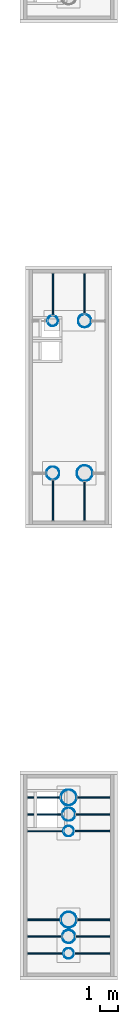
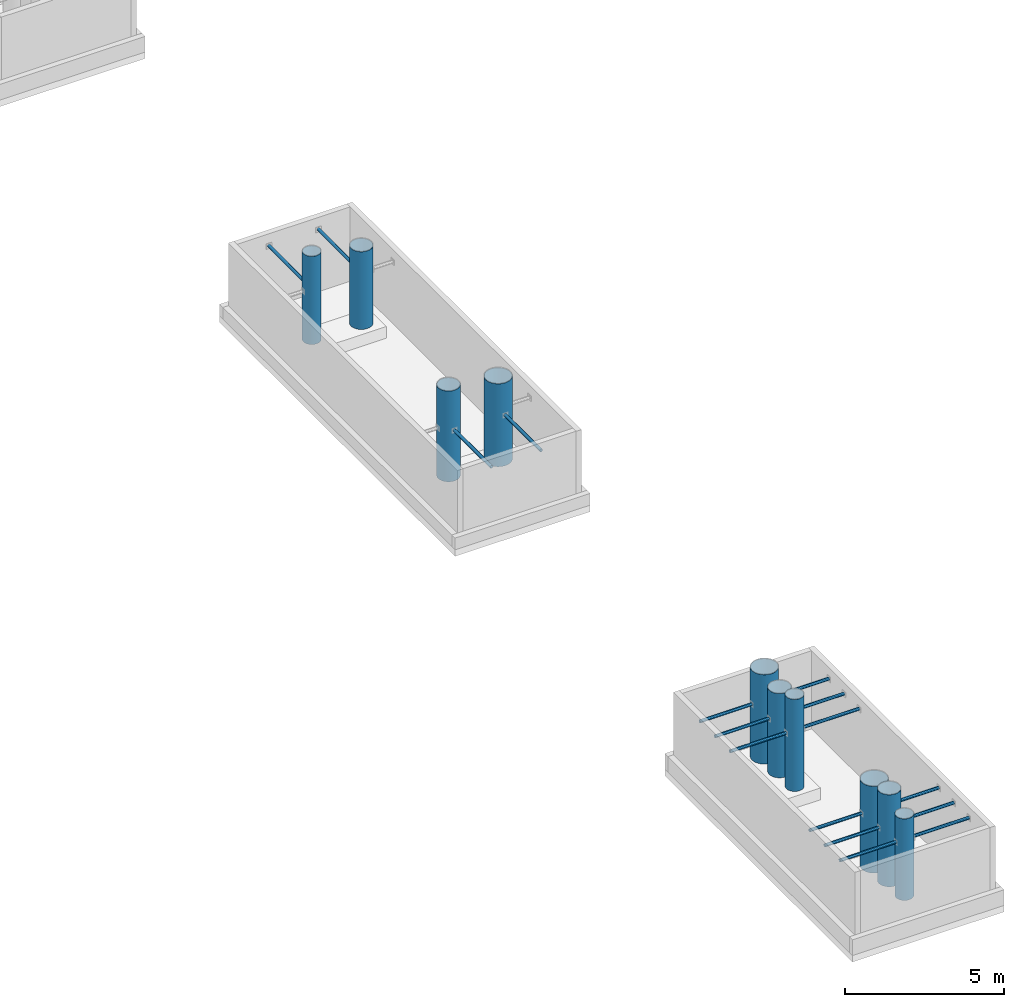
# One storey, part 1 of 7: 26 members.
"""IFC4 building model written with IfcOpenShell, lengths in metres."""

import ifcopenshell
import ifcopenshell.guid

model = None  # the IFC model being written
_history = None  # IfcOwnerHistory: only IFC2X3 demands one
_inside = {}  # id of a spatial element -> (the spatial element, [elements in it])
_under = {}  # id of a project, library or spatial element -> (it, [spatial elements below it])
_declared = {}  # id of a project -> (the project, [libraries it declares])
_typed = {}  # id of a type object -> (the type object, [elements of that type])
_made_of = {}  # id of a material, layer set ... -> (it, [elements and type objects made of it])


def new_model(schema):
    """Start an empty IFC model of exactly this schema.

    Asked for "IFC4X3", IfcOpenShell would pick the latest addendum, in which some entities
    have other attributes; the version numbers below select the first issue.
    IFC2X3 requires an IfcOwnerHistory on every rooted entity: one is made here for all.
    """
    global model, _history
    if schema == "IFC4X3":
        model = ifcopenshell.file(schema_version=(4, 3, 0, 0))
    else:
        model = ifcopenshell.file(schema=schema)
    _inside.clear()
    _under.clear()
    _declared.clear()
    _typed.clear()
    _made_of.clear()
    _history = None
    if model.schema == "IFC2X3":
        org = make("IfcOrganization", Name="unknown")
        user = make(
            "IfcPersonAndOrganization",
            ThePerson=make("IfcPerson", FamilyName="unknown"),
            TheOrganization=org,
        )
        app = make(
            "IfcApplication",
            ApplicationDeveloper=org,
            Version="unknown",
            ApplicationFullName="unknown",
            ApplicationIdentifier="unknown",
        )
        _history = make(
            "IfcOwnerHistory",
            OwningUser=user,
            OwningApplication=app,
            ChangeAction="ADDED",
            CreationDate=0,
        )
    return model


def make(cls, **values):
    """One entity of the class cls with the attributes given. An attribute that is None is left unset."""
    return model.create_entity(
        cls, **{name: value for name, value in values.items() if value is not None}
    )


def rooted(cls, **values):
    """An entity with a GlobalId (a new one), such as an element, a storey or a relation."""
    return make(cls, GlobalId=ifcopenshell.guid.new(), OwnerHistory=_history, **values)


def si_unit(unit_type, name, prefix=None):
    """IfcSIUnit, for example si_unit("LENGTHUNIT", "METRE", prefix="MILLI")."""
    return make("IfcSIUnit", UnitType=unit_type, Prefix=prefix, Name=name)


def assignment(units):
    """IfcUnitAssignment: the units of a project."""
    return None if units is None else make("IfcUnitAssignment", Units=units)


def point(xyz):
    """IfcCartesianPoint."""
    return None if xyz is None else make("IfcCartesianPoint", Coordinates=xyz)


def direction(xyz):
    """IfcDirection."""
    return None if xyz is None else make("IfcDirection", DirectionRatios=xyz)


def frame(location, z_axis=None, x_axis=None):
    """IfcAxis2Placement3D, a coordinate frame: its origin and axes. An axis left out is left unset."""
    return make(
        "IfcAxis2Placement3D",
        Location=point(location),
        Axis=direction(z_axis),
        RefDirection=direction(x_axis),
    )


def frame_2d(location, x_axis=None):
    """IfcAxis2Placement2D, a coordinate frame in the plane: its origin and x axis."""
    return make(
        "IfcAxis2Placement2D", Location=point(location), RefDirection=direction(x_axis)
    )


def origin():
    """The frame at (0, 0, 0) with its axes left unset."""
    return frame((0.0, 0.0, 0.0))


def origin_2d():
    """The frame at (0, 0) in the plane with its x axis left unset."""
    return frame_2d((0.0, 0.0))


def place(relative_to, where):
    """IfcLocalPlacement: puts the frame where relative to a parent placement (None: the world)."""
    return make(
        "IfcLocalPlacement", PlacementRelTo=relative_to, RelativePlacement=where
    )


def context(
    kind, dimensions, precision=None, world=None, true_north=None, identifier=None
):
    """IfcGeometricRepresentationContext, for example the 3D "Model" context."""
    return make(
        "IfcGeometricRepresentationContext",
        ContextIdentifier=identifier,
        ContextType=kind,
        CoordinateSpaceDimension=dimensions,
        Precision=precision,
        WorldCoordinateSystem=world,
        TrueNorth=true_north,
    )


def subcontext(parent, identifier, kind, view, scale=None):
    """IfcGeometricRepresentationSubContext, for example "Body" below "Model"."""
    return make(
        "IfcGeometricRepresentationSubContext",
        ContextIdentifier=identifier,
        ContextType=kind,
        ParentContext=parent,
        TargetScale=scale,
        TargetView=view,
    )


def project(units=None, contexts=None):
    """IfcProject with its units and contexts."""
    return rooted(
        "IfcProject",
        Name="project",
        RepresentationContexts=contexts,
        UnitsInContext=assignment(units),
    )


def spatial(cls, under=None, at=None, **own):
    """A site, building, storey or space (cls), placed at a placement, below another one or the project."""
    s = rooted(cls, ObjectPlacement=at, **own)
    if under is not None:
        _under.setdefault(under.id(), (under, []))[1].append(s)
    return s


def profile(cls, at=None, kind="AREA", **sizes):
    """A parametric profile (cls). Its sizes go by their IFC names, for example OverallWidth=200.0."""
    return make(cls, ProfileType=kind, Position=at, **sizes)


def hollow_circle(**sizes):
    """IfcCircleHollowProfileDef."""
    return profile("IfcCircleHollowProfileDef", **sizes)


def extrude(swept, where, along, depth):
    """IfcExtrudedAreaSolid: the profile swept, set in the frame where, extruded along a direction by depth."""
    return make(
        "IfcExtrudedAreaSolid",
        SweptArea=swept,
        Position=where,
        ExtrudedDirection=direction(along),
        Depth=depth,
    )


def shape(context_of_items, identifier, shape_type, items):
    """IfcShapeRepresentation: the items that make up one representation, for example the "Body"."""
    return make(
        "IfcShapeRepresentation",
        ContextOfItems=context_of_items,
        RepresentationIdentifier=identifier,
        RepresentationType=shape_type,
        Items=items,
    )


def material(Name=None, Category=None):
    """IfcMaterial."""
    return make("IfcMaterial", Name=Name, Category=Category)


def material_profile(
    of_material, cross_section, Name=None, Category=None, Priority=None
):
    """IfcMaterialProfile: a cross section and its material."""
    return make(
        "IfcMaterialProfile",
        Name=Name,
        Material=of_material,
        Profile=cross_section,
        Priority=Priority,
        Category=Category,
    )


def profile_set(profiles, Name=None, composite=None):
    """IfcMaterialProfileSet."""
    return make(
        "IfcMaterialProfileSet",
        Name=Name,
        MaterialProfiles=profiles,
        CompositeProfile=composite,
    )


def made_of(thing, what):
    """Note that an element or type object is made of a material, layer set ...; save() writes the relation."""
    if what is not None:
        _made_of.setdefault(what.id(), (what, []))[1].append(thing)
    return thing


def type_object(cls, material=None, **own):
    """A type object (cls), such as IfcWallType, which elements share."""
    return made_of(rooted(cls, **own), material)


def element(
    cls,
    number,
    at=None,
    inside=None,
    cuts=None,
    type_object=None,
    material=None,
    context=None,
    identifier="Body",
    shape_type=None,
    held_by="IfcProductDefinitionShape",
    body=None,
    shapes=None,
    **own,
):
    """One element of the class cls, such as IfcWall. Its Tag is "e" and its number.

    at: its placement. inside: the storey or other place that contains it. cuts: it is an
    opening in that element (IfcRelVoidsElement). A single representation is given by context,
    identifier, shape_type and body (its items); several are given by shapes. held_by: the class
    of the entity that holds the representations. save() writes the other relations.
    """
    e = rooted(cls, Tag="e%d" % number, ObjectPlacement=at, **own)
    if body is not None:
        shapes = [shape(context, identifier, shape_type, body)]
    if shapes is not None:
        e.Representation = make(held_by, Representations=shapes)
    if inside is not None:
        _inside.setdefault(inside.id(), (inside, []))[1].append(e)
    if cuts is not None:
        rooted(
            "IfcRelVoidsElement", RelatingBuildingElement=cuts, RelatedOpeningElement=e
        )
    if type_object is not None:
        _typed.setdefault(type_object.id(), (type_object, []))[1].append(e)
    return made_of(e, material)


def aggregate(whole, parts):
    """IfcRelAggregates: a whole, such as a stair, and the parts it consists of."""
    return rooted("IfcRelAggregates", RelatingObject=whole, RelatedObjects=parts)


def save(model, path):
    """Write the relations noted so far, then the file.

    IfcRelAggregates (storeys below a building ...), IfcRelContainedInSpatialStructure (elements
    in a storey), IfcRelDefinesByType, IfcRelAssociatesMaterial and IfcRelDeclares: one each for
    every whole, place, type object, material and project.
    """
    for whole, parts in _under.values():
        aggregate(whole, parts)
    for where, things in _inside.values():
        rooted(
            "IfcRelContainedInSpatialStructure",
            RelatedElements=things,
            RelatingStructure=where,
        )
    for kind, things in _typed.values():
        rooted("IfcRelDefinesByType", RelatedObjects=things, RelatingType=kind)
    for what, things in _made_of.values():
        rooted("IfcRelAssociatesMaterial", RelatedObjects=things, RelatingMaterial=what)
    for by, libraries in _declared.values():
        rooted("IfcRelDeclares", RelatingContext=by, RelatedDefinitions=libraries)
    model.write(path)


model = new_model("IFC4")

# Units and contexts
model_context = context("Model", 3, precision=1e-05, world=origin(), true_north=direction((0.0, 1.0)))
body_context = subcontext(model_context, "Body", "Model", "MODEL_VIEW")
ifc_project = project(units=[si_unit("LENGTHUNIT", "METRE"), si_unit("AREAUNIT", "SQUARE_METRE"), si_unit("VOLUMEUNIT", "CUBIC_METRE"), si_unit("PLANEANGLEUNIT", "RADIAN"), si_unit("MASSUNIT", "GRAM", prefix="KILO")], contexts=[model_context])

# Site, building, storey
site_placement = place(None, origin())
site = spatial("IfcSite", under=ifc_project, at=site_placement, CompositionType="ELEMENT")
building_placement = place(site_placement, origin())
building = spatial("IfcBuilding", under=site, at=building_placement, Name="Basin Gate Institute", CompositionType="ELEMENT")
storey_placement = place(building_placement, frame((0.0, 0.0, 78.60009765625)))
storey = spatial("IfcBuildingStorey", under=building, at=storey_placement, Name="UPPER ROOF", CompositionType="ELEMENT", Elevation=78.60009765625)

# Members
ifc_material_1 = material(Name="Structural steel SN490", Category="steel")
ifc_material_profile_1 = material_profile(ifc_material_1, hollow_circle(Radius=0.300048828125, WallThickness=0.011962890625, at=origin_2d()), Name="CHS600x12")
ifc_profile_set_1 = profile_set([ifc_material_profile_1], Name="Structural steel SN490")
member_type_1 = type_object("IfcMemberType", Name="Exhaust pipe EX1", PredefinedType="POST", material=ifc_profile_set_1)
member_1_placement = place(storey_placement, frame((63.449951171875, 36.10009765625, 0.699951171875), z_axis=(0.0, 0.0, 1.0), x_axis=(1.0, 0.0, 0.0)))
element("IfcMember", 1, at=member_1_placement, inside=storey, type_object=member_type_1, material=ifc_profile_set_1, Name="Exhaust pipe EX1 WS 1", PredefinedType="POST", context=body_context, shape_type="SweptSolid", body=[
    extrude(hollow_circle(Radius=0.300048828125, WallThickness=0.011962890625, at=origin_2d()), origin(), (0.0, 0.0, 1.0), 3.1298828125),
])
member_2_placement = place(storey_placement, frame((63.449951171875, 43.0, 0.699951171875), z_axis=(0.0, 0.0, 1.0), x_axis=(1.0, 0.0, 0.0)))
element("IfcMember", 2, at=member_2_placement, inside=storey, type_object=member_type_1, material=ifc_profile_set_1, Name="Exhaust pipe EX1 WS 4", PredefinedType="POST", context=body_context, shape_type="SweptSolid", body=[
    extrude(hollow_circle(Radius=0.300048828125, WallThickness=0.011962890625, at=origin_2d()), origin(), (0.0, 0.0, 1.0), 3.530029296875),
])
member_3_placement = place(storey_placement, frame((62.550048828125, 71.800048828125, 0.699951171875), z_axis=(0.0, 0.0, 1.0), x_axis=(1.0, 0.0, 0.0)))
element("IfcMember", 3, at=member_3_placement, inside=storey, type_object=member_type_1, material=ifc_profile_set_1, Name="Exhaust pipe EX1 WM 3", PredefinedType="POST", context=body_context, shape_type="SweptSolid", body=[
    extrude(hollow_circle(Radius=0.300048828125, WallThickness=0.011962890625, at=origin_2d()), origin(), (0.0, 0.0, 1.0), 3.3798828125),
])
ifc_material_2 = material(Name="Structural steel SN490", Category="steel")
ifc_material_profile_2 = material_profile(ifc_material_2, hollow_circle(Radius=0.375, WallThickness=0.013916015625, at=origin_2d()), Name="CHS750x14")
ifc_profile_set_2 = profile_set([ifc_material_profile_2], Name="Structural steel SN490")
member_type_2 = type_object("IfcMemberType", Name="Exhaust pipe EX2", PredefinedType="POST", material=ifc_profile_set_2)
member_4_placement = place(storey_placement, frame((63.449951171875, 37.050048828125, 0.699951171875), z_axis=(0.0, 0.0, 1.0), x_axis=(1.0, 0.0, 0.0)))
element("IfcMember", 4, at=member_4_placement, inside=storey, type_object=member_type_2, material=ifc_profile_set_2, Name="Exhaust pipe EX2 WS 2", PredefinedType="POST", context=body_context, shape_type="SweptSolid", body=[
    extrude(hollow_circle(Radius=0.375, WallThickness=0.013916015625, at=origin_2d()), origin(), (0.0, 0.0, 1.0), 3.530029296875),
])
member_5_placement = place(storey_placement, frame((63.449951171875, 43.949951171875, 0.699951171875), z_axis=(0.0, 0.0, 1.0), x_axis=(1.0, 0.0, 0.0)))
element("IfcMember", 5, at=member_5_placement, inside=storey, type_object=member_type_2, material=ifc_profile_set_2, Name="Exhaust pipe EX2 WS 5", PredefinedType="POST", context=body_context, shape_type="SweptSolid", body=[
    extrude(hollow_circle(Radius=0.375, WallThickness=0.013916015625, at=origin_2d()), origin(), (0.0, 0.0, 1.0), 3.22998046875),
])
member_6_placement = place(storey_placement, frame((62.550048828125, 63.199951171875, 0.699951171875), z_axis=(0.0, 0.0, 1.0), x_axis=(1.0, 0.0, 0.0)))
element("IfcMember", 6, at=member_6_placement, inside=storey, type_object=member_type_2, material=ifc_profile_set_2, Name="Exhaust pipe EX2 WM 1", PredefinedType="POST", context=body_context, shape_type="SweptSolid", body=[
    extrude(hollow_circle(Radius=0.375, WallThickness=0.013916015625, at=origin_2d()), origin(), (0.0, 0.0, 1.0), 3.47998046875),
])
member_7_placement = place(storey_placement, frame((64.35009765625, 71.800048828125, 0.699951171875), z_axis=(0.0, 0.0, 1.0), x_axis=(1.0, 0.0, 0.0)))
element("IfcMember", 7, at=member_7_placement, inside=storey, type_object=member_type_2, material=ifc_profile_set_2, Name="Exhaust pipe EX2 WM 4", PredefinedType="POST", context=body_context, shape_type="SweptSolid", body=[
    extrude(hollow_circle(Radius=0.375, WallThickness=0.013916015625, at=origin_2d()), origin(), (0.0, 0.0, 1.0), 2.97998046875),
])
ifc_material_3 = material(Name="Structural steel SN490", Category="steel")
ifc_material_profile_3 = material_profile(ifc_material_3, hollow_circle(Radius=0.449951171875, WallThickness=0.01611328125, at=origin_2d()), Name="CHS900x16")
ifc_profile_set_3 = profile_set([ifc_material_profile_3], Name="Structural steel SN490")
member_type_3 = type_object("IfcMemberType", Name="Exhaust pipe EX3", PredefinedType="POST", material=ifc_profile_set_3)
member_8_placement = place(storey_placement, frame((63.449951171875, 38.0, 0.699951171875), z_axis=(0.0, 0.0, 1.0), x_axis=(1.0, 0.0, 0.0)))
element("IfcMember", 8, at=member_8_placement, inside=storey, type_object=member_type_3, material=ifc_profile_set_3, Name="Exhaust pipe EX3 WS 3", PredefinedType="POST", context=body_context, shape_type="SweptSolid", body=[
    extrude(hollow_circle(Radius=0.449951171875, WallThickness=0.01611328125, at=origin_2d()), origin(), (0.0, 0.0, 1.0), 3.329833984375),
])
member_9_placement = place(storey_placement, frame((63.449951171875, 44.89990234375, 0.699951171875), z_axis=(0.0, 0.0, 1.0), x_axis=(1.0, 0.0, 0.0)))
element("IfcMember", 9, at=member_9_placement, inside=storey, type_object=member_type_3, material=ifc_profile_set_3, Name="Exhaust pipe EX3 WS 6", PredefinedType="POST", context=body_context, shape_type="SweptSolid", body=[
    extrude(hollow_circle(Radius=0.449951171875, WallThickness=0.01611328125, at=origin_2d()), origin(), (0.0, 0.0, 1.0), 3.429931640625),
])
member_10_placement = place(storey_placement, frame((64.35009765625, 63.199951171875, 0.699951171875), z_axis=(0.0, 0.0, 1.0), x_axis=(1.0, 0.0, 0.0)))
element("IfcMember", 10, at=member_10_placement, inside=storey, type_object=member_type_3, material=ifc_profile_set_3, Name="Exhaust pipe EX3 WM 2", PredefinedType="POST", context=body_context, shape_type="SweptSolid", body=[
    extrude(hollow_circle(Radius=0.449951171875, WallThickness=0.01611328125, at=origin_2d()), origin(), (0.0, 0.0, 1.0), 3.179931640625),
])
ifc_material_4 = material(Name="Structural steel SN490", Category="steel")
ifc_material_profile_4 = material_profile(ifc_material_4, hollow_circle(Radius=0.05712890625, WallThickness=0.0048828125, at=origin_2d()), Name="CHS114x5")
ifc_profile_set_4 = profile_set([ifc_material_profile_4], Name="Structural steel SN490")
member_type_4 = type_object("IfcMemberType", Name="Exhaust pipe tie TD5", PredefinedType="BRACE", material=ifc_profile_set_4)
member_11_placement = place(storey_placement, frame((63.14990234375, 36.10009765625, 2.849853515625), z_axis=(-1.0, 0.0, 0.0), x_axis=(0.0, -1.0, 0.0)))
element("IfcMember", 11, at=member_11_placement, inside=storey, type_object=member_type_4, material=ifc_profile_set_4, Name="Exhaust pipe tie TD5 WS 1a", PredefinedType="BRACE", context=body_context, shape_type="SweptSolid", body=[
    extrude(hollow_circle(Radius=0.05712890625, WallThickness=0.0048828125, at=origin_2d()), origin(), (0.0, 0.0, 1.0), 2.0498046875),
])
member_12_placement = place(storey_placement, frame((63.75, 36.10009765625, 2.849853515625), z_axis=(1.0, 0.0, 0.0), x_axis=(0.0, 1.0, 0.0)))
element("IfcMember", 12, at=member_12_placement, inside=storey, type_object=member_type_4, material=ifc_profile_set_4, Name="Exhaust pipe tie TD5 WS 1b", PredefinedType="BRACE", context=body_context, shape_type="SweptSolid", body=[
    extrude(hollow_circle(Radius=0.05712890625, WallThickness=0.0048828125, at=origin_2d()), origin(), (0.0, 0.0, 1.0), 2.050048828125),
])
member_13_placement = place(storey_placement, frame((63.074951171875, 37.050048828125, 2.849853515625), z_axis=(-1.0, 0.0, 0.0), x_axis=(0.0, -1.0, 0.0)))
element("IfcMember", 13, at=member_13_placement, inside=storey, type_object=member_type_4, material=ifc_profile_set_4, Name="Exhaust pipe tie TD5 WS 2a", PredefinedType="BRACE", context=body_context, shape_type="SweptSolid", body=[
    extrude(hollow_circle(Radius=0.05712890625, WallThickness=0.0048828125, at=origin_2d()), origin(), (0.0, 0.0, 1.0), 1.974853515625),
])
member_14_placement = place(storey_placement, frame((63.824951171875, 37.050048828125, 2.849853515625), z_axis=(1.0, 0.0, 0.0), x_axis=(0.0, 1.0, 0.0)))
element("IfcMember", 14, at=member_14_placement, inside=storey, type_object=member_type_4, material=ifc_profile_set_4, Name="Exhaust pipe tie TD5 WS 2b", PredefinedType="BRACE", context=body_context, shape_type="SweptSolid", body=[
    extrude(hollow_circle(Radius=0.05712890625, WallThickness=0.0048828125, at=origin_2d()), origin(), (0.0, 0.0, 1.0), 1.97509765625),
])
member_15_placement = place(storey_placement, frame((63.0, 38.0, 2.849853515625), z_axis=(-1.0, 0.0, 0.0), x_axis=(0.0, -1.0, 0.0)))
element("IfcMember", 15, at=member_15_placement, inside=storey, type_object=member_type_4, material=ifc_profile_set_4, Name="Exhaust pipe tie TD5 WS 3a", PredefinedType="BRACE", context=body_context, shape_type="SweptSolid", body=[
    extrude(hollow_circle(Radius=0.05712890625, WallThickness=0.0048828125, at=origin_2d()), origin(), (0.0, 0.0, 1.0), 1.89990234375),
])
member_16_placement = place(storey_placement, frame((63.89990234375, 38.0, 2.849853515625), z_axis=(1.0, 0.0, 0.0), x_axis=(0.0, 1.0, 0.0)))
element("IfcMember", 16, at=member_16_placement, inside=storey, type_object=member_type_4, material=ifc_profile_set_4, Name="Exhaust pipe tie TD5 WS 3b", PredefinedType="BRACE", context=body_context, shape_type="SweptSolid", body=[
    extrude(hollow_circle(Radius=0.05712890625, WallThickness=0.0048828125, at=origin_2d()), origin(), (0.0, 0.0, 1.0), 1.900146484375),
])
member_17_placement = place(storey_placement, frame((63.14990234375, 43.0, 2.849853515625), z_axis=(-1.0, 0.0, 0.0), x_axis=(0.0, -1.0, 0.0)))
element("IfcMember", 17, at=member_17_placement, inside=storey, type_object=member_type_4, material=ifc_profile_set_4, Name="Exhaust pipe tie TD5 WS 4a", PredefinedType="BRACE", context=body_context, shape_type="SweptSolid", body=[
    extrude(hollow_circle(Radius=0.05712890625, WallThickness=0.0048828125, at=origin_2d()), origin(), (0.0, 0.0, 1.0), 2.0498046875),
])
member_18_placement = place(storey_placement, frame((63.75, 43.0, 2.849853515625), z_axis=(1.0, 0.0, 0.0), x_axis=(0.0, 1.0, 0.0)))
element("IfcMember", 18, at=member_18_placement, inside=storey, type_object=member_type_4, material=ifc_profile_set_4, Name="Exhaust pipe tie TD5 WS 4b", PredefinedType="BRACE", context=body_context, shape_type="SweptSolid", body=[
    extrude(hollow_circle(Radius=0.05712890625, WallThickness=0.0048828125, at=origin_2d()), origin(), (0.0, 0.0, 1.0), 2.050048828125),
])
member_19_placement = place(storey_placement, frame((63.074951171875, 43.949951171875, 2.849853515625), z_axis=(-1.0, 0.0, 0.0), x_axis=(0.0, -1.0, 0.0)))
element("IfcMember", 19, at=member_19_placement, inside=storey, type_object=member_type_4, material=ifc_profile_set_4, Name="Exhaust pipe tie TD5 WS 5a", PredefinedType="BRACE", context=body_context, shape_type="SweptSolid", body=[
    extrude(hollow_circle(Radius=0.05712890625, WallThickness=0.0048828125, at=origin_2d()), origin(), (0.0, 0.0, 1.0), 1.974853515625),
])
member_20_placement = place(storey_placement, frame((63.824951171875, 43.949951171875, 2.849853515625), z_axis=(1.0, 0.0, 0.0), x_axis=(0.0, 1.0, 0.0)))
element("IfcMember", 20, at=member_20_placement, inside=storey, type_object=member_type_4, material=ifc_profile_set_4, Name="Exhaust pipe tie TD5 WS 5b", PredefinedType="BRACE", context=body_context, shape_type="SweptSolid", body=[
    extrude(hollow_circle(Radius=0.05712890625, WallThickness=0.0048828125, at=origin_2d()), origin(), (0.0, 0.0, 1.0), 1.97509765625),
])
member_21_placement = place(storey_placement, frame((63.0, 44.89990234375, 2.849853515625), z_axis=(-1.0, 0.0, 0.0), x_axis=(0.0, -1.0, 0.0)))
element("IfcMember", 21, at=member_21_placement, inside=storey, type_object=member_type_4, material=ifc_profile_set_4, Name="Exhaust pipe tie TD5 WS 6a", PredefinedType="BRACE", context=body_context, shape_type="SweptSolid", body=[
    extrude(hollow_circle(Radius=0.05712890625, WallThickness=0.0048828125, at=origin_2d()), origin(), (0.0, 0.0, 1.0), 1.89990234375),
])
member_22_placement = place(storey_placement, frame((63.89990234375, 44.89990234375, 2.849853515625), z_axis=(1.0, 0.0, 0.0), x_axis=(0.0, 1.0, 0.0)))
element("IfcMember", 22, at=member_22_placement, inside=storey, type_object=member_type_4, material=ifc_profile_set_4, Name="Exhaust pipe tie TD5 WS 6b", PredefinedType="BRACE", context=body_context, shape_type="SweptSolid", body=[
    extrude(hollow_circle(Radius=0.05712890625, WallThickness=0.0048828125, at=origin_2d()), origin(), (0.0, 0.0, 1.0), 1.900146484375),
])
member_23_placement = place(storey_placement, frame((62.550048828125, 62.824951171875, 2.64990234375), z_axis=(0.0, -1.0, 0.0), x_axis=(1.0, 0.0, 0.0)))
element("IfcMember", 23, at=member_23_placement, inside=storey, type_object=member_type_4, material=ifc_profile_set_4, Name="Exhaust pipe tie TD5 WM 1b", PredefinedType="BRACE", context=body_context, shape_type="SweptSolid", body=[
    extrude(hollow_circle(Radius=0.05712890625, WallThickness=0.0048828125, at=origin_2d()), origin(), (0.0, 0.0, 1.0), 2.324951171875),
])
member_24_placement = place(storey_placement, frame((64.35009765625, 62.75, 2.64990234375), z_axis=(0.0, -1.0, 0.0), x_axis=(1.0, 0.0, 0.0)))
element("IfcMember", 24, at=member_24_placement, inside=storey, type_object=member_type_4, material=ifc_profile_set_4, Name="Exhaust pipe tie TD5 WM 2b", PredefinedType="BRACE", context=body_context, shape_type="SweptSolid", body=[
    extrude(hollow_circle(Radius=0.05712890625, WallThickness=0.0048828125, at=origin_2d()), origin(), (0.0, 0.0, 1.0), 2.25),
])
member_25_placement = place(storey_placement, frame((62.550048828125, 72.10009765625, 2.64990234375), z_axis=(0.0, 1.0, 0.0), x_axis=(-1.0, 0.0, 0.0)))
element("IfcMember", 25, at=member_25_placement, inside=storey, type_object=member_type_4, material=ifc_profile_set_4, Name="Exhaust pipe tie TD5 WM 3b", PredefinedType="BRACE", context=body_context, shape_type="SweptSolid", body=[
    extrude(hollow_circle(Radius=0.05712890625, WallThickness=0.0048828125, at=origin_2d()), origin(), (0.0, 0.0, 1.0), 2.39990234375),
])
member_26_placement = place(storey_placement, frame((64.35009765625, 72.175048828125, 2.64990234375), z_axis=(0.0, 1.0, 0.0), x_axis=(-1.0, 0.0, 0.0)))
element("IfcMember", 26, at=member_26_placement, inside=storey, type_object=member_type_4, material=ifc_profile_set_4, Name="Exhaust pipe tie TD5 WM 4b", PredefinedType="BRACE", context=body_context, shape_type="SweptSolid", body=[
    extrude(hollow_circle(Radius=0.05712890625, WallThickness=0.0048828125, at=origin_2d()), origin(), (0.0, 0.0, 1.0), 2.324951171875),
])

save(model, "model.ifc")
